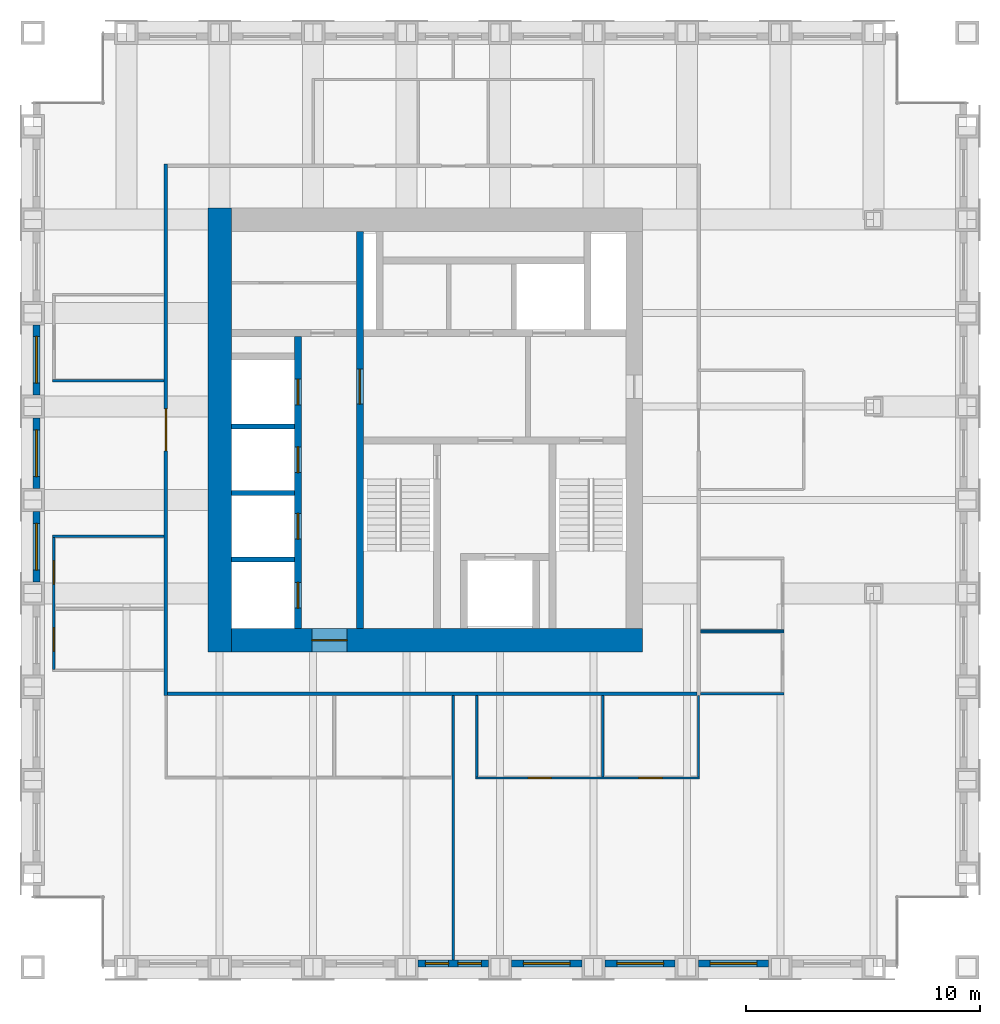
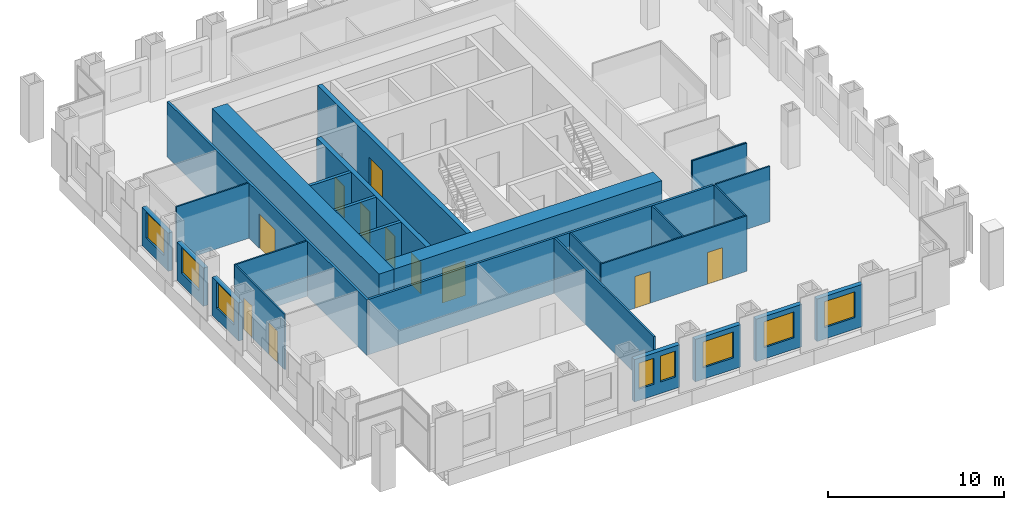
# One storey, part 8 of 12: 27 walls, 11 doors, 8 windows, 19 openings.
"""IFC4 building model written with IfcOpenShell, lengths in metres."""

from ifc_helpers import new_model, si_unit, direction, frame, frame_2d, origin, place, context, subcontext, project, spatial, rectangle, extrude, material, layer, layer_set, type_object, element, fill, save


model = new_model("IFC4")

# Units and contexts
model_context = context("Model", 3, precision=1e-05, world=origin(), true_north=direction((0.0, 1.0)))
body_context = subcontext(model_context, "Body", "Model", "MODEL_VIEW")
ifc_project = project(units=[si_unit("LENGTHUNIT", "METRE"), si_unit("AREAUNIT", "SQUARE_METRE"), si_unit("VOLUMEUNIT", "CUBIC_METRE"), si_unit("PLANEANGLEUNIT", "RADIAN"), si_unit("MASSUNIT", "GRAM", prefix="KILO")], contexts=[model_context])

# Site, building, storey
site_placement = place(None, origin())
site = spatial("IfcSite", under=ifc_project, at=site_placement, CompositionType="ELEMENT")
building_placement = place(site_placement, origin())
building = spatial("IfcBuilding", under=site, at=building_placement, Name="Rimbunsela Tower", CompositionType="ELEMENT")
storey_placement = place(building_placement, frame((0.0, 0.0, 266.199951171875)))
storey = spatial("IfcBuildingStorey", under=building, at=storey_placement, Name="L64", CompositionType="ELEMENT", Elevation=266.199951171875)

# Wall, opening, door
ifc_material_1 = material(Name="Concrete fc' 80 MPa", Category="concrete")
ifc_layer_1 = layer(ifc_material_1, 0.300048828125)
ifc_layer_set_1 = layer_set([ifc_layer_1], Name="Core internal wall 300")
wall_type_1 = type_object("IfcWallType", Name="Core internal wall 300", PredefinedType="SHEAR", material=ifc_layer_set_1)
wall_1_placement = place(storey_placement, frame((24.0, 18.5, -0.14990234375), z_axis=(0.0, 0.0, 1.0), x_axis=(0.0, 1.0, 0.0)))
wall_1 = element("IfcWall", 1, at=wall_1_placement, inside=storey, type_object=wall_type_1, Name="Core wall at stair A", PredefinedType="SHEAR", context=body_context, shape_type="SweptSolid", body=[
    extrude(rectangle(XDim=17.0, YDim=0.300048828125, at=frame_2d((8.5, 0.0))), origin(), (0.0, 0.0, 1.0), 4.0),
])
opening_1_placement = place(wall_1_placement, frame((9.60009765625, 0.0, 0.14990234375)))
opening_1 = element("IfcOpeningElement", 2, at=opening_1_placement, cuts=wall_1, Name="Opening D03", PredefinedType="OPENING", context=body_context, shape_type="SweptSolid", body=[
    extrude(rectangle(XDim=1.5, YDim=2.39990234375, at=frame_2d((0.75, 1.199951171875))), frame((0.0, 0.159912109375, 0.0), z_axis=(0.0, -1.0, 0.0), x_axis=(1.0, 0.0, 0.0)), (0.0, 0.0, 1.0), 0.320068359375),
])
ifc_material_2 = material(Name="Steel door, fire rated", Category="steel")
door_type_1 = type_object("IfcDoorType", Name="Core lobby door 1500", OperationType="DOUBLE_DOOR_DOUBLE_SWING", PredefinedType="DOOR", material=ifc_material_2)
door_1_placement = place(opening_1_placement, origin())
door_1 = element("IfcDoor", 3, at=door_1_placement, inside=storey, type_object=door_type_1, Name="West lobby door", OperationType="DOUBLE_DOOR_DOUBLE_SWING", OverallHeight=2.39990234375, OverallWidth=1.5, PredefinedType="DOOR", context=body_context, shape_type="SweptSolid", body=[
    extrude(rectangle(XDim=1.5, YDim=2.39990234375, at=frame_2d((0.75, 1.199951171875))), frame((0.0, 0.02490234375, 0.0), z_axis=(0.0, -1.0, 0.0), x_axis=(1.0, 0.0, 0.0)), (0.0, 0.0, 1.0), 0.050048828125),
])
fill(opening_1, door_1)

# Wall, openings, doors
wall_2_placement = place(storey_placement, frame((21.35009765625, 18.5, -0.14990234375), z_axis=(0.0, 0.0, 1.0), x_axis=(0.0, 1.0, 0.0)))
wall_2 = element("IfcWall", 4, at=wall_2_placement, inside=storey, type_object=wall_type_1, Name="Lift shaft front west", PredefinedType="SHEAR", context=body_context, shape_type="SweptSolid", body=[
    extrude(rectangle(XDim=12.5, YDim=0.300048828125, at=frame_2d((6.25, 0.0))), origin(), (0.0, 0.0, 1.0), 4.0),
])
opening_2_placement = place(wall_2_placement, frame((0.875, 0.0, 0.14990234375)))
opening_2 = element("IfcOpeningElement", 5, at=opening_2_placement, cuts=wall_2, Name="Opening LD1", PredefinedType="OPENING", context=body_context, shape_type="SweptSolid", body=[
    extrude(rectangle(XDim=1.10009765625, YDim=2.199951171875, at=frame_2d((0.550048828125, 1.10009765625))), frame((0.0, 0.159912109375, 0.0), z_axis=(0.0, -1.0, 0.0), x_axis=(1.0, 0.0, 0.0)), (0.0, 0.0, 1.0), 0.320068359375),
])
opening_3_placement = place(wall_2_placement, frame((3.824951171875, 0.0, 0.14990234375)))
opening_3 = element("IfcOpeningElement", 6, at=opening_3_placement, cuts=wall_2, Name="Opening LD1", PredefinedType="OPENING", context=body_context, shape_type="SweptSolid", body=[
    extrude(rectangle(XDim=1.10009765625, YDim=2.199951171875, at=frame_2d((0.550048828125, 1.10009765625))), frame((0.0, 0.159912109375, 0.0), z_axis=(0.0, -1.0, 0.0), x_axis=(1.0, 0.0, 0.0)), (0.0, 0.0, 1.0), 0.320068359375),
])
opening_4_placement = place(wall_2_placement, frame((6.675048828125, 0.0, 0.14990234375)))
opening_4 = element("IfcOpeningElement", 7, at=opening_4_placement, cuts=wall_2, Name="Opening LD1", PredefinedType="OPENING", context=body_context, shape_type="SweptSolid", body=[
    extrude(rectangle(XDim=1.10009765625, YDim=2.199951171875, at=frame_2d((0.550048828125, 1.10009765625))), frame((0.0, 0.159912109375, 0.0), z_axis=(0.0, -1.0, 0.0), x_axis=(1.0, 0.0, 0.0)), (0.0, 0.0, 1.0), 0.320068359375),
])
opening_5_placement = place(wall_2_placement, frame((9.574951171875, 0.0, 0.14990234375)))
opening_5 = element("IfcOpeningElement", 8, at=opening_5_placement, cuts=wall_2, Name="Opening LD1", PredefinedType="OPENING", context=body_context, shape_type="SweptSolid", body=[
    extrude(rectangle(XDim=1.10009765625, YDim=2.199951171875, at=frame_2d((0.550048828125, 1.10009765625))), frame((0.0, 0.159912109375, 0.0), z_axis=(0.0, -1.0, 0.0), x_axis=(1.0, 0.0, 0.0)), (0.0, 0.0, 1.0), 0.320068359375),
])
ifc_material_3 = material(Name="Steel door, fire rated", Category="steel")
door_type_2 = type_object("IfcDoorType", Name="Lift landing door 1100", OperationType="DOUBLE_DOOR_SLIDING", PredefinedType="DOOR", material=ifc_material_3)
door_2_placement = place(opening_2_placement, origin())
door_2 = element("IfcDoor", 9, at=door_2_placement, inside=storey, type_object=door_type_2, Name="Lift landing door TL1", OperationType="DOUBLE_DOOR_SLIDING", OverallHeight=2.199951171875, OverallWidth=1.10009765625, PredefinedType="DOOR", context=body_context, shape_type="SweptSolid", body=[
    extrude(rectangle(XDim=1.10009765625, YDim=2.199951171875, at=frame_2d((0.550048828125, 1.10009765625))), frame((0.0, 0.02490234375, 0.0), z_axis=(0.0, -1.0, 0.0), x_axis=(1.0, 0.0, 0.0)), (0.0, 0.0, 1.0), 0.050048828125),
])
fill(opening_2, door_2)
door_3_placement = place(opening_3_placement, origin())
door_3 = element("IfcDoor", 10, at=door_3_placement, inside=storey, type_object=door_type_2, Name="Lift landing door TL2", OperationType="DOUBLE_DOOR_SLIDING", OverallHeight=2.199951171875, OverallWidth=1.10009765625, PredefinedType="DOOR", context=body_context, shape_type="SweptSolid", body=[
    extrude(rectangle(XDim=1.10009765625, YDim=2.199951171875, at=frame_2d((0.550048828125, 1.10009765625))), frame((0.0, 0.02490234375, 0.0), z_axis=(0.0, -1.0, 0.0), x_axis=(1.0, 0.0, 0.0)), (0.0, 0.0, 1.0), 0.050048828125),
])
fill(opening_3, door_3)
door_4_placement = place(opening_4_placement, origin())
door_4 = element("IfcDoor", 11, at=door_4_placement, inside=storey, type_object=door_type_2, Name="Lift landing door TL3", OperationType="DOUBLE_DOOR_SLIDING", OverallHeight=2.199951171875, OverallWidth=1.10009765625, PredefinedType="DOOR", context=body_context, shape_type="SweptSolid", body=[
    extrude(rectangle(XDim=1.10009765625, YDim=2.199951171875, at=frame_2d((0.550048828125, 1.10009765625))), frame((0.0, 0.02490234375, 0.0), z_axis=(0.0, -1.0, 0.0), x_axis=(1.0, 0.0, 0.0)), (0.0, 0.0, 1.0), 0.050048828125),
])
fill(opening_4, door_4)
door_5_placement = place(opening_5_placement, origin())
door_5 = element("IfcDoor", 12, at=door_5_placement, inside=storey, type_object=door_type_2, Name="Lift landing door TL4", OperationType="DOUBLE_DOOR_SLIDING", OverallHeight=2.199951171875, OverallWidth=1.10009765625, PredefinedType="DOOR", context=body_context, shape_type="SweptSolid", body=[
    extrude(rectangle(XDim=1.10009765625, YDim=2.199951171875, at=frame_2d((0.550048828125, 1.10009765625))), frame((0.0, 0.02490234375, 0.0), z_axis=(0.0, -1.0, 0.0), x_axis=(1.0, 0.0, 0.0)), (0.0, 0.0, 1.0), 0.050048828125),
])
fill(opening_5, door_5)

# Wall
ifc_material_4 = material(Name="Concrete fc' 80 MPa", Category="concrete")
ifc_layer_2 = layer(ifc_material_4, 1.0)
ifc_layer_set_2 = layer_set([ifc_layer_2], Name="Core wall 1000")
wall_type_2 = type_object("IfcWallType", Name="Core wall 1000", PredefinedType="SHEAR", material=ifc_layer_set_2)
wall_3_placement = place(storey_placement, frame((18.0, 17.5, -0.14990234375), z_axis=(0.0, 0.0, 1.0), x_axis=(0.0, 1.0, 0.0)))
element("IfcWall", 13, at=wall_3_placement, inside=storey, type_object=wall_type_2, Name="Core wall west", PredefinedType="SHEAR", context=body_context, shape_type="SweptSolid", body=[
    extrude(rectangle(XDim=19.0, YDim=1.0, at=frame_2d((9.5, 0.0))), origin(), (0.0, 0.0, 1.0), 4.0),
])

# Wall, opening, door
wall_4_placement = place(storey_placement, frame((18.5, 18.0, -0.14990234375), z_axis=(0.0, 0.0, 1.0), x_axis=(1.0, 0.0, 0.0)))
wall_4 = element("IfcWall", 14, at=wall_4_placement, inside=storey, type_object=wall_type_2, Name="Core wall south", PredefinedType="SHEAR", context=body_context, shape_type="SweptSolid", body=[
    extrude(rectangle(XDim=17.60009765625, YDim=1.0, at=frame_2d((8.800048828125, 0.0))), origin(), (0.0, 0.0, 1.0), 4.0),
])
opening_6_placement = place(wall_4_placement, frame((3.449951171875, 0.0, 0.14990234375)))
opening_6 = element("IfcOpeningElement", 15, at=opening_6_placement, cuts=wall_4, Name="Opening D03", PredefinedType="OPENING", context=body_context, shape_type="SweptSolid", body=[
    extrude(rectangle(XDim=1.5, YDim=2.39990234375, at=frame_2d((0.75, 1.199951171875))), frame((0.0, 0.510009765625, 0.0), z_axis=(0.0, -1.0, 0.0), x_axis=(1.0, 0.0, 0.0)), (0.0, 0.0, 1.0), 1.02001953125),
])
door_6_placement = place(opening_6_placement, origin())
door_6 = element("IfcDoor", 16, at=door_6_placement, inside=storey, type_object=door_type_1, Name="Core door south", OperationType="DOUBLE_DOOR_DOUBLE_SWING", OverallHeight=2.39990234375, OverallWidth=1.5, PredefinedType="DOOR", context=body_context, shape_type="SweptSolid", body=[
    extrude(rectangle(XDim=1.5, YDim=2.39990234375, at=frame_2d((0.75, 1.199951171875))), frame((0.0, 0.02490234375, 0.0), z_axis=(0.0, -1.0, 0.0), x_axis=(1.0, 0.0, 0.0)), (0.0, 0.0, 1.0), 0.050048828125),
])
fill(opening_6, door_6)

# Walls
ifc_material_5 = material(Name="Concrete blockwork", Category="masonry")
ifc_layer_3 = layer(ifc_material_5, 0.199951171875)
ifc_layer_set_3 = layer_set([ifc_layer_3], Name="Lift shaft wall 200")
wall_type_3 = type_object("IfcWallType", Name="Lift shaft wall 200", PredefinedType="SOLIDWALL", material=ifc_layer_set_3)
for number, where, z_axis, x_axis, name in (
    (17, (18.5, 21.449951171875, -0.14990234375), (0.0, 0.0, 1.0), (1.0, 0.0, 0.0), "Lift shaft separation"),
    (18, (18.5, 24.300048828125, -0.14990234375), (0.0, 0.0, 1.0), (1.0, 0.0, 0.0), "Lift shaft separation"),
    (19, (18.5, 27.14990234375, -0.14990234375), (0.0, 0.0, 1.0), (1.0, 0.0, 0.0), "Lift shaft separation"),
):
    element("IfcWall", number, at=place(storey_placement, frame(where, z_axis=z_axis, x_axis=x_axis)), inside=storey, type_object=wall_type_3, Name=name, PredefinedType="SOLIDWALL", context=body_context, shape_type="SweptSolid", body=[
        extrude(rectangle(XDim=2.699951171875, YDim=0.199951171875, at=frame_2d((1.35009765625, 0.0))), origin(), (0.0, 0.0, 1.0), 4.0),
    ])

# Wall, openings, doors
ifc_material_6 = material(Name="Gypsum board on steel studs", Category="steel")
ifc_layer_4 = layer(ifc_material_6, 0.10009765625)
ifc_layer_set_4 = layer_set([ifc_layer_4], Name="Office partition 100")
wall_type_4 = type_object("IfcWallType", Name="Office partition 100", PredefinedType="PARTITIONING", material=ifc_layer_set_4)
wall_5_placement = place(storey_placement, frame((28.948974609375, 12.10009765625, 0.0), z_axis=(0.0, 0.0, 1.0), x_axis=(1.0, 0.0, 0.0)))
wall_5 = element("IfcWall", 20, at=wall_5_placement, inside=storey, type_object=wall_type_4, Name="Office partition", PredefinedType="PARTITIONING", context=body_context, shape_type="SweptSolid", body=[
    extrude(rectangle(XDim=9.60107421875, YDim=0.10009765625, at=frame_2d((4.800537109375, 0.0))), origin(), (0.0, 0.0, 1.0), 3.85009765625),
])
opening_7_placement = place(wall_5_placement, frame((2.25, 0.0, 0.0)))
opening_7 = element("IfcOpeningElement", 21, at=opening_7_placement, cuts=wall_5, Name="Opening D17", PredefinedType="OPENING", context=body_context, shape_type="SweptSolid", body=[
    extrude(rectangle(XDim=1.0, YDim=2.199951171875, at=frame_2d((0.5, 1.10009765625))), frame((0.0, 0.06005859375, 0.0), z_axis=(0.0, -1.0, 0.0), x_axis=(1.0, 0.0, 0.0)), (0.0, 0.0, 1.0), 0.1201171875),
])
opening_8_placement = place(wall_5_placement, frame((7.00048828125, 0.0, 0.0)))
opening_8 = element("IfcOpeningElement", 22, at=opening_8_placement, cuts=wall_5, Name="Opening D16", PredefinedType="OPENING", context=body_context, shape_type="SweptSolid", body=[
    extrude(rectangle(XDim=1.0, YDim=2.199951171875, at=frame_2d((0.5, 1.10009765625))), frame((0.0, 0.06005859375, 0.0), z_axis=(0.0, -1.0, 0.0), x_axis=(1.0, 0.0, 0.0)), (0.0, 0.0, 1.0), 0.1201171875),
])
ifc_material_7 = material(Name="Glazed aluminium door", Category="aluminium")
door_type_3 = type_object("IfcDoorType", Name="Meeting room door 1000 glazed", OperationType="SINGLE_SWING_RIGHT", PredefinedType="DOOR", material=ifc_material_7)
door_7_placement = place(opening_7_placement, origin())
door_7 = element("IfcDoor", 23, at=door_7_placement, inside=storey, type_object=door_type_3, Name="Meeting room door", OperationType="SINGLE_SWING_RIGHT", OverallHeight=2.199951171875, OverallWidth=1.0, PredefinedType="DOOR", context=body_context, shape_type="SweptSolid", body=[
    extrude(rectangle(XDim=1.0, YDim=2.199951171875, at=frame_2d((0.5, 1.10009765625))), frame((0.0, 0.02490234375, 0.0), z_axis=(0.0, -1.0, 0.0), x_axis=(1.0, 0.0, 0.0)), (0.0, 0.0, 1.0), 0.050048828125),
])
fill(opening_7, door_7)
ifc_material_8 = material(Name="Timber door", Category="wood")
door_type_4 = type_object("IfcDoorType", Name="Office door 1000", OperationType="SINGLE_SWING_LEFT", PredefinedType="DOOR", material=ifc_material_8)
door_8_placement = place(opening_8_placement, origin())
door_8 = element("IfcDoor", 24, at=door_8_placement, inside=storey, type_object=door_type_4, Name="Office door", OperationType="SINGLE_SWING_LEFT", OverallHeight=2.199951171875, OverallWidth=1.0, PredefinedType="DOOR", context=body_context, shape_type="SweptSolid", body=[
    extrude(rectangle(XDim=1.0, YDim=2.199951171875, at=frame_2d((0.5, 1.10009765625))), frame((0.0, 0.02490234375, 0.0), z_axis=(0.0, -1.0, 0.0), x_axis=(1.0, 0.0, 0.0)), (0.0, 0.0, 1.0), 0.050048828125),
])
fill(opening_8, door_8)

# Walls
for number, where, z_axis, x_axis, name in (
    (25, (38.574951171875, 15.699951171875, 0.0), (0.0, 0.0, 1.0), (1.0, 0.0, 0.0), "Office partition"),
    (26, (38.574951171875, 18.35009765625, 0.0), (0.0, 0.0, 1.0), (1.0, 0.0, 0.0), "Office partition"),
    (27, (38.574951171875, 18.39990234375, 0.0), (0.0, 0.0, 1.0), (1.0, 0.0, 0.0), "Office partition"),
):
    element("IfcWall", number, at=place(storey_placement, frame(where, z_axis=z_axis, x_axis=x_axis)), inside=storey, type_object=wall_type_4, Name=name, PredefinedType="PARTITIONING", context=body_context, shape_type="SweptSolid", body=[
        extrude(rectangle(XDim=3.574951171875, YDim=0.10009765625, at=frame_2d((1.78759765625, 0.0))), origin(), (0.0, 0.0, 1.0), 3.85009765625),
    ])
for number, where, z_axis, x_axis, name in (
    (28, (10.85009765625, 22.449951171875, 0.0), (0.0, 0.0, 1.0), (1.0, 0.0, 0.0), "Office partition"),
    (29, (10.85009765625, 29.10009765625, 0.0), (0.0, 0.0, 1.0), (1.0, 0.0, 0.0), "Office partition"),
):
    element("IfcWall", number, at=place(storey_placement, frame(where, z_axis=z_axis, x_axis=x_axis)), inside=storey, type_object=wall_type_4, Name=name, PredefinedType="PARTITIONING", context=body_context, shape_type="SweptSolid", body=[
        extrude(rectangle(XDim=4.77490234375, YDim=0.10009765625, at=frame_2d((2.387451171875, 0.0))), origin(), (0.0, 0.0, 1.0), 3.85009765625),
    ])

# Wall, openings, doors
wall_6_placement = place(storey_placement, frame((10.89990234375, 16.75, 0.0), z_axis=(0.0, 0.0, 1.0), x_axis=(0.0, 1.0, 0.0)))
wall_6 = element("IfcWall", 30, at=wall_6_placement, inside=storey, type_object=wall_type_4, Name="Office partition", PredefinedType="PARTITIONING", context=body_context, shape_type="SweptSolid", body=[
    extrude(rectangle(XDim=5.64990234375, YDim=0.10009765625, at=frame_2d((2.824951171875, 0.0))), origin(), (0.0, 0.0, 1.0), 3.85009765625),
])
opening_9_placement = place(wall_6_placement, frame((0.77490234375, 0.0, 0.0)))
opening_9 = element("IfcOpeningElement", 31, at=opening_9_placement, cuts=wall_6, Name="Opening D16", PredefinedType="OPENING", context=body_context, shape_type="SweptSolid", body=[
    extrude(rectangle(XDim=1.0, YDim=2.199951171875, at=frame_2d((0.5, 1.10009765625))), frame((0.0, 0.06005859375, 0.0), z_axis=(0.0, -1.0, 0.0), x_axis=(1.0, 0.0, 0.0)), (0.0, 0.0, 1.0), 0.1201171875),
])
opening_10_placement = place(wall_6_placement, frame((3.64990234375, 0.0, 0.0)))
opening_10 = element("IfcOpeningElement", 32, at=opening_10_placement, cuts=wall_6, Name="Opening D16", PredefinedType="OPENING", context=body_context, shape_type="SweptSolid", body=[
    extrude(rectangle(XDim=1.0, YDim=2.199951171875, at=frame_2d((0.5, 1.10009765625))), frame((0.0, 0.06005859375, 0.0), z_axis=(0.0, -1.0, 0.0), x_axis=(1.0, 0.0, 0.0)), (0.0, 0.0, 1.0), 0.1201171875),
])
door_9_placement = place(opening_9_placement, frame((1.0, 0.0, 0.0), z_axis=(0.0, 0.0, 1.0), x_axis=(-1.0, 0.0, 0.0)))
door_9 = element("IfcDoor", 33, at=door_9_placement, inside=storey, type_object=door_type_4, Name="Office door", OperationType="SINGLE_SWING_LEFT", OverallHeight=2.199951171875, OverallWidth=1.0, PredefinedType="DOOR", context=body_context, shape_type="SweptSolid", body=[
    extrude(rectangle(XDim=1.0, YDim=2.199951171875, at=frame_2d((0.5, 1.10009765625))), frame((0.0, 0.02490234375, 0.0), z_axis=(0.0, -1.0, 0.0), x_axis=(1.0, 0.0, 0.0)), (0.0, 0.0, 1.0), 0.050048828125),
])
fill(opening_9, door_9)
door_10_placement = place(opening_10_placement, frame((1.0, 0.0, 0.0), z_axis=(0.0, 0.0, 1.0), x_axis=(-1.0, 0.0, 0.0)))
door_10 = element("IfcDoor", 34, at=door_10_placement, inside=storey, type_object=door_type_4, Name="Office door", OperationType="SINGLE_SWING_LEFT", OverallHeight=2.199951171875, OverallWidth=1.0, PredefinedType="DOOR", context=body_context, shape_type="SweptSolid", body=[
    extrude(rectangle(XDim=1.0, YDim=2.199951171875, at=frame_2d((0.5, 1.10009765625))), frame((0.0, 0.02490234375, 0.0), z_axis=(0.0, -1.0, 0.0), x_axis=(1.0, 0.0, 0.0)), (0.0, 0.0, 1.0), 0.050048828125),
])
fill(opening_10, door_10)

# Walls
for number, where, z_axis, x_axis, name in (
    (35, (28.9990234375, 12.14990234375, 0.0), (0.0, 0.0, 1.0), (0.0, 1.0, 0.0), "Office partition"),
    (36, (34.39892578125, 12.14990234375, 0.0), (0.0, 0.0, 1.0), (0.0, 1.0, 0.0), "Office partition"),
    (37, (38.5, 12.14990234375, 0.0), (0.0, 0.0, 1.0), (0.0, 1.0, 0.0), "Office partition"),
):
    element("IfcWall", number, at=place(storey_placement, frame(where, z_axis=z_axis, x_axis=x_axis)), inside=storey, type_object=wall_type_4, Name=name, PredefinedType="PARTITIONING", context=body_context, shape_type="SweptSolid", body=[
        extrude(rectangle(XDim=3.47509765625, YDim=0.10009765625, at=frame_2d((1.737548828125, 0.0))), origin(), (0.0, 0.0, 1.0), 3.85009765625),
    ])

# Wall, openings, windows
ifc_material_9 = material(Name="Precast concrete fc' 35 MPa", Category="concrete")
ifc_layer_5 = layer(ifc_material_9, 0.300048828125)
ifc_layer_set_5 = layer_set([ifc_layer_5], Name="Precast concrete fc' 35 MPa")
wall_type_5 = type_object("IfcWallType", Name="Precast facade panel 300", PredefinedType="ELEMENTEDWALL", material=ifc_layer_set_5)
wall_7_placement = place(storey_placement, frame((26.5, 4.14990234375, 0.0), z_axis=(0.0, 0.0, 1.0), x_axis=(1.0, 0.0, 0.0)))
wall_7 = element("IfcWall", 38, at=wall_7_placement, inside=storey, type_object=wall_type_5, Name="Facade panel S L64", PredefinedType="ELEMENTEDWALL", context=body_context, shape_type="SweptSolid", body=[
    extrude(rectangle(XDim=3.0, YDim=0.300048828125, at=frame_2d((1.5, 0.0))), origin(), (0.0, 0.0, 1.0), 2.949951171875),
])
opening_11_placement = place(wall_7_placement, frame((0.300048828125, 0.0, 0.800048828125)))
opening_11 = element("IfcOpeningElement", 39, at=opening_11_placement, cuts=wall_7, Name="Opening W8", PredefinedType="OPENING", context=body_context, shape_type="SweptSolid", body=[
    extrude(rectangle(XDim=1.0, YDim=1.800048828125, at=frame_2d((0.5, 0.89990234375))), frame((0.0, 0.159912109375, 0.0), z_axis=(0.0, -1.0, 0.0), x_axis=(1.0, 0.0, 0.0)), (0.0, 0.0, 1.0), 0.320068359375),
])
opening_12_placement = place(wall_7_placement, frame((1.699951171875, 0.0, 0.800048828125)))
opening_12 = element("IfcOpeningElement", 40, at=opening_12_placement, cuts=wall_7, Name="Opening W8", PredefinedType="OPENING", context=body_context, shape_type="SweptSolid", body=[
    extrude(rectangle(XDim=1.0, YDim=1.800048828125, at=frame_2d((0.5, 0.89990234375))), frame((0.0, 0.159912109375, 0.0), z_axis=(0.0, -1.0, 0.0), x_axis=(1.0, 0.0, 0.0)), (0.0, 0.0, 1.0), 0.320068359375),
])
ifc_material_10 = material(Name="Clear glass in aluminium frame", Category="aluminium")
window_type_1 = type_object("IfcWindowType", Name="Window W8 1000x1800", PartitioningType="SINGLE_PANEL", PredefinedType="WINDOW", material=ifc_material_10)
window_1_placement = place(opening_11_placement, origin())
window_1 = element("IfcWindow", 41, at=window_1_placement, inside=storey, type_object=window_type_1, Name="Window L64", OverallHeight=1.800048828125, OverallWidth=1.0, PartitioningType="SINGLE_PANEL", PredefinedType="WINDOW", context=body_context, shape_type="SweptSolid", body=[
    extrude(rectangle(XDim=1.0, YDim=1.800048828125, at=frame_2d((0.5, 0.89990234375))), frame((0.0, 0.030029296875, 0.0), z_axis=(0.0, -1.0, 0.0), x_axis=(1.0, 0.0, 0.0)), (0.0, 0.0, 1.0), 0.06005859375),
])
fill(opening_11, window_1)
window_2_placement = place(opening_12_placement, origin())
window_2 = element("IfcWindow", 42, at=window_2_placement, inside=storey, type_object=window_type_1, Name="Window L64", OverallHeight=1.800048828125, OverallWidth=1.0, PartitioningType="SINGLE_PANEL", PredefinedType="WINDOW", context=body_context, shape_type="SweptSolid", body=[
    extrude(rectangle(XDim=1.0, YDim=1.800048828125, at=frame_2d((0.5, 0.89990234375))), frame((0.0, 0.030029296875, 0.0), z_axis=(0.0, -1.0, 0.0), x_axis=(1.0, 0.0, 0.0)), (0.0, 0.0, 1.0), 0.06005859375),
])
fill(opening_12, window_2)

# Wall, opening, window
wall_8_placement = place(storey_placement, frame((30.5, 4.14990234375, 0.0), z_axis=(0.0, 0.0, 1.0), x_axis=(1.0, 0.0, 0.0)))
wall_8 = element("IfcWall", 43, at=wall_8_placement, inside=storey, type_object=wall_type_5, Name="Facade panel S L64", PredefinedType="ELEMENTEDWALL", context=body_context, shape_type="SweptSolid", body=[
    extrude(rectangle(XDim=3.0, YDim=0.300048828125, at=frame_2d((1.5, 0.0))), origin(), (0.0, 0.0, 1.0), 2.949951171875),
])
opening_13_placement = place(wall_8_placement, frame((0.5, 0.0, 0.800048828125)))
opening_13 = element("IfcOpeningElement", 44, at=opening_13_placement, cuts=wall_8, Name="Opening W7", PredefinedType="OPENING", context=body_context, shape_type="SweptSolid", body=[
    extrude(rectangle(XDim=2.0, YDim=1.800048828125, at=frame_2d((1.0, 0.89990234375))), frame((0.0, 0.159912109375, 0.0), z_axis=(0.0, -1.0, 0.0), x_axis=(1.0, 0.0, 0.0)), (0.0, 0.0, 1.0), 0.320068359375),
])
ifc_material_11 = material(Name="Clear glass in aluminium frame", Category="aluminium")
window_type_2 = type_object("IfcWindowType", Name="Window W7 2000x1800", PartitioningType="DOUBLE_PANEL_VERTICAL", PredefinedType="WINDOW", material=ifc_material_11)
window_3_placement = place(opening_13_placement, origin())
window_3 = element("IfcWindow", 45, at=window_3_placement, inside=storey, type_object=window_type_2, Name="Window L64", OverallHeight=1.800048828125, OverallWidth=2.0, PartitioningType="SINGLE_PANEL", PredefinedType="WINDOW", context=body_context, shape_type="SweptSolid", body=[
    extrude(rectangle(XDim=2.0, YDim=1.800048828125, at=frame_2d((1.0, 0.89990234375))), frame((0.0, 0.030029296875, 0.0), z_axis=(0.0, -1.0, 0.0), x_axis=(1.0, 0.0, 0.0)), (0.0, 0.0, 1.0), 0.06005859375),
])
fill(opening_13, window_3)

wall_9_placement = place(storey_placement, frame((34.5, 4.14990234375, 0.0), z_axis=(0.0, 0.0, 1.0), x_axis=(1.0, 0.0, 0.0)))
wall_9 = element("IfcWall", 46, at=wall_9_placement, inside=storey, type_object=wall_type_5, Name="Facade panel S L64", PredefinedType="ELEMENTEDWALL", context=body_context, shape_type="SweptSolid", body=[
    extrude(rectangle(XDim=3.0, YDim=0.300048828125, at=frame_2d((1.5, 0.0))), origin(), (0.0, 0.0, 1.0), 2.949951171875),
])
opening_14_placement = place(wall_9_placement, frame((0.5, 0.0, 0.800048828125)))
opening_14 = element("IfcOpeningElement", 47, at=opening_14_placement, cuts=wall_9, Name="Opening W7", PredefinedType="OPENING", context=body_context, shape_type="SweptSolid", body=[
    extrude(rectangle(XDim=2.0, YDim=1.800048828125, at=frame_2d((1.0, 0.89990234375))), frame((0.0, 0.159912109375, 0.0), z_axis=(0.0, -1.0, 0.0), x_axis=(1.0, 0.0, 0.0)), (0.0, 0.0, 1.0), 0.320068359375),
])
window_4_placement = place(opening_14_placement, origin())
window_4 = element("IfcWindow", 48, at=window_4_placement, inside=storey, type_object=window_type_2, Name="Window L64", OverallHeight=1.800048828125, OverallWidth=2.0, PartitioningType="SINGLE_PANEL", PredefinedType="WINDOW", context=body_context, shape_type="SweptSolid", body=[
    extrude(rectangle(XDim=2.0, YDim=1.800048828125, at=frame_2d((1.0, 0.89990234375))), frame((0.0, 0.030029296875, 0.0), z_axis=(0.0, -1.0, 0.0), x_axis=(1.0, 0.0, 0.0)), (0.0, 0.0, 1.0), 0.06005859375),
])
fill(opening_14, window_4)

wall_10_placement = place(storey_placement, frame((38.5, 4.14990234375, 0.0), z_axis=(0.0, 0.0, 1.0), x_axis=(1.0, 0.0, 0.0)))
wall_10 = element("IfcWall", 49, at=wall_10_placement, inside=storey, type_object=wall_type_5, Name="Facade panel S L64", PredefinedType="ELEMENTEDWALL", context=body_context, shape_type="SweptSolid", body=[
    extrude(rectangle(XDim=3.0, YDim=0.300048828125, at=frame_2d((1.5, 0.0))), origin(), (0.0, 0.0, 1.0), 2.949951171875),
])
opening_15_placement = place(wall_10_placement, frame((0.5, 0.0, 0.800048828125)))
opening_15 = element("IfcOpeningElement", 50, at=opening_15_placement, cuts=wall_10, Name="Opening W7", PredefinedType="OPENING", context=body_context, shape_type="SweptSolid", body=[
    extrude(rectangle(XDim=2.0, YDim=1.800048828125, at=frame_2d((1.0, 0.89990234375))), frame((0.0, 0.159912109375, 0.0), z_axis=(0.0, -1.0, 0.0), x_axis=(1.0, 0.0, 0.0)), (0.0, 0.0, 1.0), 0.320068359375),
])
window_5_placement = place(opening_15_placement, origin())
window_5 = element("IfcWindow", 51, at=window_5_placement, inside=storey, type_object=window_type_2, Name="Window L64", OverallHeight=1.800048828125, OverallWidth=2.0, PartitioningType="SINGLE_PANEL", PredefinedType="WINDOW", context=body_context, shape_type="SweptSolid", body=[
    extrude(rectangle(XDim=2.0, YDim=1.800048828125, at=frame_2d((1.0, 0.89990234375))), frame((0.0, 0.030029296875, 0.0), z_axis=(0.0, -1.0, 0.0), x_axis=(1.0, 0.0, 0.0)), (0.0, 0.0, 1.0), 0.06005859375),
])
fill(opening_15, window_5)

wall_11_placement = place(storey_placement, frame((10.14990234375, 23.5, 0.0), z_axis=(0.0, 0.0, 1.0), x_axis=(0.0, -1.0, 0.0)))
wall_11 = element("IfcWall", 52, at=wall_11_placement, inside=storey, type_object=wall_type_5, Name="Facade panel W L64", PredefinedType="ELEMENTEDWALL", context=body_context, shape_type="SweptSolid", body=[
    extrude(rectangle(XDim=3.0, YDim=0.300048828125, at=frame_2d((1.5, 0.0))), origin(), (0.0, 0.0, 1.0), 2.650146484375),
])
opening_16_placement = place(wall_11_placement, frame((0.5, 0.0, 0.800048828125)))
opening_16 = element("IfcOpeningElement", 53, at=opening_16_placement, cuts=wall_11, Name="Opening W7", PredefinedType="OPENING", context=body_context, shape_type="SweptSolid", body=[
    extrude(rectangle(XDim=2.0, YDim=1.800048828125, at=frame_2d((1.0, 0.89990234375))), frame((0.0, 0.159912109375, 0.0), z_axis=(0.0, -1.0, 0.0), x_axis=(1.0, 0.0, 0.0)), (0.0, 0.0, 1.0), 0.320068359375),
])
window_6_placement = place(opening_16_placement, origin())
window_6 = element("IfcWindow", 54, at=window_6_placement, inside=storey, type_object=window_type_2, Name="Window L64", OverallHeight=1.800048828125, OverallWidth=2.0, PartitioningType="SINGLE_PANEL", PredefinedType="WINDOW", context=body_context, shape_type="SweptSolid", body=[
    extrude(rectangle(XDim=2.0, YDim=1.800048828125, at=frame_2d((1.0, 0.89990234375))), frame((0.0, 0.030029296875, 0.0), z_axis=(0.0, -1.0, 0.0), x_axis=(1.0, 0.0, 0.0)), (0.0, 0.0, 1.0), 0.06005859375),
])
fill(opening_16, window_6)

wall_12_placement = place(storey_placement, frame((10.14990234375, 27.5, 0.0), z_axis=(0.0, 0.0, 1.0), x_axis=(0.0, -1.0, 0.0)))
wall_12 = element("IfcWall", 55, at=wall_12_placement, inside=storey, type_object=wall_type_5, Name="Facade panel W L64", PredefinedType="ELEMENTEDWALL", context=body_context, shape_type="SweptSolid", body=[
    extrude(rectangle(XDim=3.0, YDim=0.300048828125, at=frame_2d((1.5, 0.0))), origin(), (0.0, 0.0, 1.0), 2.650146484375),
])
opening_17_placement = place(wall_12_placement, frame((0.5, 0.0, 0.800048828125)))
opening_17 = element("IfcOpeningElement", 56, at=opening_17_placement, cuts=wall_12, Name="Opening W7", PredefinedType="OPENING", context=body_context, shape_type="SweptSolid", body=[
    extrude(rectangle(XDim=2.0, YDim=1.800048828125, at=frame_2d((1.0, 0.89990234375))), frame((0.0, 0.159912109375, 0.0), z_axis=(0.0, -1.0, 0.0), x_axis=(1.0, 0.0, 0.0)), (0.0, 0.0, 1.0), 0.320068359375),
])
window_7_placement = place(opening_17_placement, origin())
window_7 = element("IfcWindow", 57, at=window_7_placement, inside=storey, type_object=window_type_2, Name="Window L64", OverallHeight=1.800048828125, OverallWidth=2.0, PartitioningType="SINGLE_PANEL", PredefinedType="WINDOW", context=body_context, shape_type="SweptSolid", body=[
    extrude(rectangle(XDim=2.0, YDim=1.800048828125, at=frame_2d((1.0, 0.89990234375))), frame((0.0, 0.030029296875, 0.0), z_axis=(0.0, -1.0, 0.0), x_axis=(1.0, 0.0, 0.0)), (0.0, 0.0, 1.0), 0.06005859375),
])
fill(opening_17, window_7)

wall_13_placement = place(storey_placement, frame((10.14990234375, 31.5, 0.0), z_axis=(0.0, 0.0, 1.0), x_axis=(0.0, -1.0, 0.0)))
wall_13 = element("IfcWall", 58, at=wall_13_placement, inside=storey, type_object=wall_type_5, Name="Facade panel W L64", PredefinedType="ELEMENTEDWALL", context=body_context, shape_type="SweptSolid", body=[
    extrude(rectangle(XDim=3.0, YDim=0.300048828125, at=frame_2d((1.5, 0.0))), origin(), (0.0, 0.0, 1.0), 2.650146484375),
])
opening_18_placement = place(wall_13_placement, frame((0.5, 0.0, 0.800048828125)))
opening_18 = element("IfcOpeningElement", 59, at=opening_18_placement, cuts=wall_13, Name="Opening W7", PredefinedType="OPENING", context=body_context, shape_type="SweptSolid", body=[
    extrude(rectangle(XDim=2.0, YDim=1.800048828125, at=frame_2d((1.0, 0.89990234375))), frame((0.0, 0.159912109375, 0.0), z_axis=(0.0, -1.0, 0.0), x_axis=(1.0, 0.0, 0.0)), (0.0, 0.0, 1.0), 0.320068359375),
])
window_8_placement = place(opening_18_placement, origin())
window_8 = element("IfcWindow", 60, at=window_8_placement, inside=storey, type_object=window_type_2, Name="Window L64", OverallHeight=1.800048828125, OverallWidth=2.0, PartitioningType="SINGLE_PANEL", PredefinedType="WINDOW", context=body_context, shape_type="SweptSolid", body=[
    extrude(rectangle(XDim=2.0, YDim=1.800048828125, at=frame_2d((1.0, 0.89990234375))), frame((0.0, 0.030029296875, 0.0), z_axis=(0.0, -1.0, 0.0), x_axis=(1.0, 0.0, 0.0)), (0.0, 0.0, 1.0), 0.06005859375),
])
fill(opening_18, window_8)

# Wall, opening, door
ifc_material_12 = material(Name="Fire-rated gypsum board on steel studs, EI 60", Category="steel")
ifc_layer_6 = layer(ifc_material_12, 0.14990234375)
ifc_layer_set_6 = layer_set([ifc_layer_6], Name="Rated corridor wall 150")
wall_type_6 = type_object("IfcWallType", Name="Rated corridor wall 150", PredefinedType="PARTITIONING", material=ifc_layer_set_6)
wall_14_placement = place(storey_placement, frame((15.699951171875, 15.625, 0.0), z_axis=(0.0, 0.0, 1.0), x_axis=(0.0, 1.0, 0.0)))
wall_14 = element("IfcWall", 61, at=wall_14_placement, inside=storey, type_object=wall_type_6, Name="Corridor wall west", PredefinedType="PARTITIONING", context=body_context, shape_type="SweptSolid", body=[
    extrude(rectangle(XDim=22.75, YDim=0.14990234375, at=frame_2d((11.375, 0.0))), origin(), (0.0, 0.0, 1.0), 3.85009765625),
])
opening_19_placement = place(wall_14_placement, frame((10.47509765625, 0.0, 0.0)))
opening_19 = element("IfcOpeningElement", 62, at=opening_19_placement, cuts=wall_14, Name="Opening D09", PredefinedType="OPENING", context=body_context, shape_type="SweptSolid", body=[
    extrude(rectangle(XDim=1.800048828125, YDim=2.39990234375, at=frame_2d((0.89990234375, 1.199951171875))), frame((0.0, 0.0849609375, 0.0), z_axis=(0.0, -1.0, 0.0), x_axis=(1.0, 0.0, 0.0)), (0.0, 0.0, 1.0), 0.169921875),
])
ifc_material_13 = material(Name="Glazed aluminium door, fire rated", Category="aluminium")
door_type_5 = type_object("IfcDoorType", Name="Tenancy door 1800 glazed", OperationType="DOUBLE_DOOR_DOUBLE_SWING", PredefinedType="DOOR", material=ifc_material_13)
door_11_placement = place(opening_19_placement, origin())
door_11 = element("IfcDoor", 63, at=door_11_placement, inside=storey, type_object=door_type_5, Name="Tenancy door", OperationType="DOUBLE_DOOR_DOUBLE_SWING", OverallHeight=2.39990234375, OverallWidth=1.800048828125, PredefinedType="DOOR", context=body_context, shape_type="SweptSolid", body=[
    extrude(rectangle(XDim=1.800048828125, YDim=2.39990234375, at=frame_2d((0.89990234375, 1.199951171875))), frame((0.0, 0.02490234375, 0.0), z_axis=(0.0, -1.0, 0.0), x_axis=(1.0, 0.0, 0.0)), (0.0, 0.0, 1.0), 0.050048828125),
])
fill(opening_19, door_11)

# Walls
wall_15_placement = place(storey_placement, frame((15.77490234375, 15.699951171875, 0.0), z_axis=(0.0, 0.0, 1.0), x_axis=(1.0, 0.0, 0.0)))
element("IfcWall", 64, at=wall_15_placement, inside=storey, type_object=wall_type_6, Name="Corridor wall south", PredefinedType="PARTITIONING", context=body_context, shape_type="SweptSolid", body=[
    extrude(rectangle(XDim=22.650146484375, YDim=0.14990234375, at=frame_2d((11.3251953125, 0.0))), origin(), (0.0, 0.0, 1.0), 3.85009765625),
])
ifc_material_14 = material(Name="Gypsum board on steel studs", Category="steel")
ifc_layer_7 = layer(ifc_material_14, 0.1201171875)
ifc_layer_set_7 = layer_set([ifc_layer_7], Name="Tenancy partition 120")
wall_type_7 = type_object("IfcWallType", Name="Tenancy partition 120", PredefinedType="PARTITIONING", material=ifc_layer_set_7)
wall_16_placement = place(storey_placement, frame((28.0, 4.300048828125, 0.0), z_axis=(0.0, 0.0, 1.0), x_axis=(0.0, 1.0, 0.0)))
element("IfcWall", 65, at=wall_16_placement, inside=storey, type_object=wall_type_7, Name="Tenancy partition south", PredefinedType="PARTITIONING", context=body_context, shape_type="SweptSolid", body=[
    extrude(rectangle(XDim=11.324951171875, YDim=0.1201171875, at=frame_2d((5.66259765625, 0.0))), origin(), (0.0, 0.0, 1.0), 3.85009765625),
])

save(model, "model.ifc")
